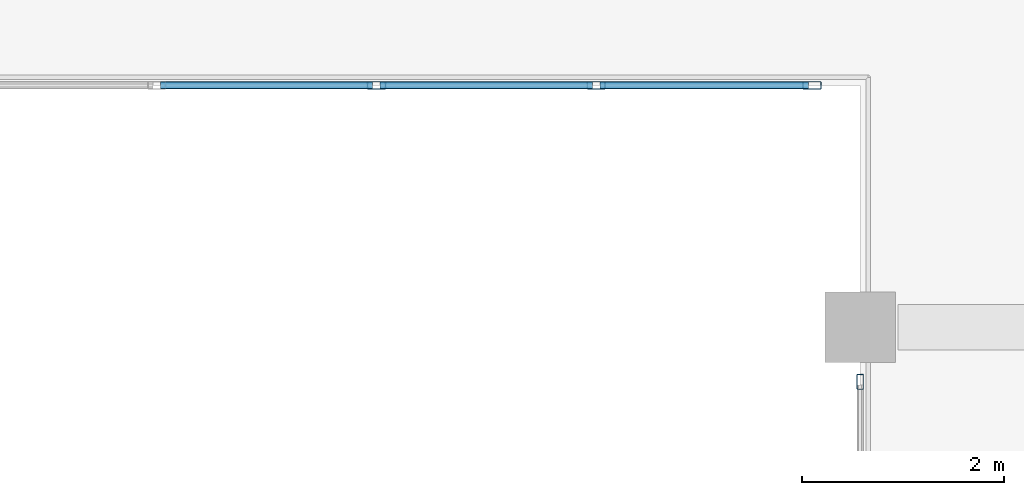
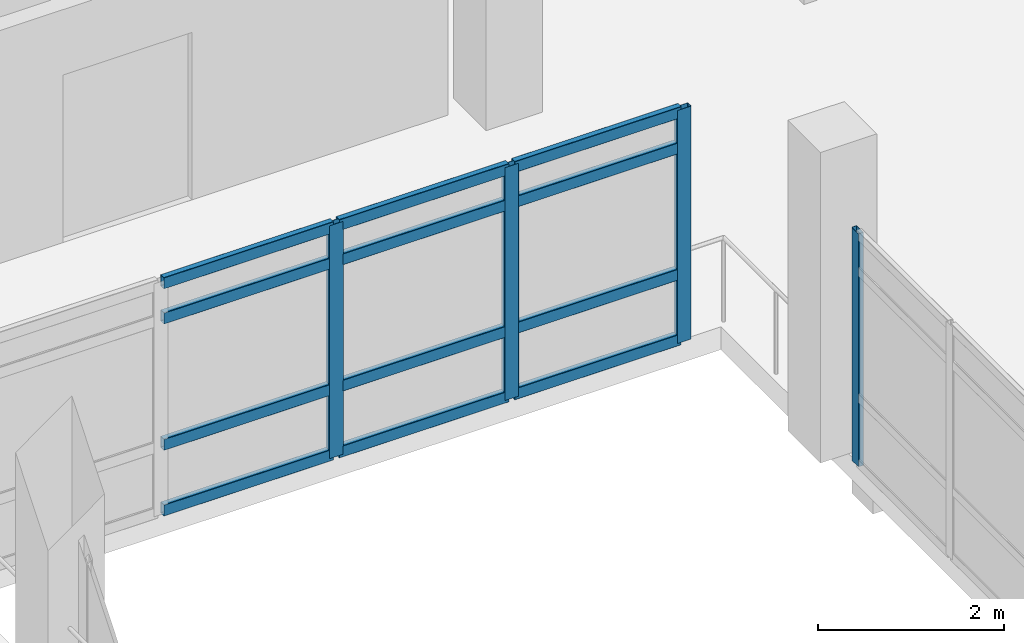
# One storey, part 118 of 180: 16 members, 2 elements without a shape of their own.
"""IFC4 building model written with IfcOpenShell, lengths in metres."""

from ifc_helpers import new_model, si_unit, direction, frame, origin, origin_2d, place, context, subcontext, project, spatial, hollow_rectangle, extrude, material, layer, layer_set, material_profile, profile_set, type_object, element, aggregate, save


model = new_model("IFC4")

# Units and contexts
model_context = context("Model", 3, precision=1e-05, world=origin(), true_north=direction((0.0, 1.0)))
body_context = subcontext(model_context, "Body", "Model", "MODEL_VIEW")
ifc_project = project(units=[si_unit("LENGTHUNIT", "METRE"), si_unit("AREAUNIT", "SQUARE_METRE"), si_unit("VOLUMEUNIT", "CUBIC_METRE"), si_unit("PLANEANGLEUNIT", "RADIAN"), si_unit("MASSUNIT", "GRAM", prefix="KILO")], contexts=[model_context])

# Site, building, storey
site_placement = place(None, origin())
site = spatial("IfcSite", under=ifc_project, at=site_placement, CompositionType="ELEMENT")
building_placement = place(site_placement, origin())
building = spatial("IfcBuilding", under=site, at=building_placement, Name="Asteropetra Specialist Clinic", CompositionType="ELEMENT")
storey_placement = place(building_placement, frame((0.0, 0.0, 4.419921875)))
storey = spatial("IfcBuildingStorey", under=building, at=storey_placement, Name="L01", CompositionType="ELEMENT", Elevation=4.419921875)

# Curtain wall, member
ifc_material_1 = material(Name="Aluminium and low-E glass", Category="aluminium")
ifc_layer_1 = layer(ifc_material_1, 0.135009765625)
ifc_layer_set_1 = layer_set([ifc_layer_1], Name="Aluminium and low-E glass")
curtain_wall_type_1 = type_object("IfcCurtainWallType", Name="CW-SYS-12", PredefinedType="USERDEFINED", material=ifc_layer_set_1)
curtain_wall_1_placement = place(storey_placement, origin())
curtain_wall_1 = element("IfcCurtainWall", 1, at=curtain_wall_1_placement, inside=storey, type_object=curtain_wall_type_1, Name="Curtain Wall CW-076", ObjectType="STICK GLAZED COLONNADE", PredefinedType="USERDEFINED")
ifc_material_2 = material(Name="Aluminium 6063-T6", Category="aluminium")
ifc_material_profile_1 = material_profile(ifc_material_2, hollow_rectangle(XDim=0.06494140625, YDim=0.14990234375, WallThickness=0.00390625, InnerFilletRadius=0.00390625, OuterFilletRadius=0.008056640625, at=origin_2d()), Name="MUL 150x65x4.0")
ifc_profile_set_1 = profile_set([ifc_material_profile_1], Name="Aluminium 6063-T6")
member_type_1 = type_object("IfcMemberType", Name="CWM-150x65", PredefinedType="MULLION", material=ifc_profile_set_1)
member_1_placement = place(storey_placement, frame((134.39990234375, 33.0576171875, 0.0), z_axis=(0.0, 0.0, 1.0), x_axis=(-1.0, 0.0, 0.0)))
member_1 = element("IfcMember", 2, at=member_1_placement, type_object=member_type_1, Name="CW-076 mullion 4", PredefinedType="MULLION", context=body_context, shape_type="SweptSolid", body=[
    extrude(hollow_rectangle(XDim=0.06494140625, YDim=0.14990234375, WallThickness=0.00390625, InnerFilletRadius=0.00390625, OuterFilletRadius=0.008056640625, at=origin_2d()), origin(), (0.0, 0.0, 1.0), 3.06005859375),
])
aggregate(curtain_wall_1, [member_1])

# Curtain wall, members
ifc_material_3 = material(Name="Aluminium and low-E glass", Category="aluminium")
ifc_layer_2 = layer(ifc_material_3, 0.135009765625)
ifc_layer_set_2 = layer_set([ifc_layer_2], Name="Aluminium and low-E glass")
curtain_wall_type_2 = type_object("IfcCurtainWallType", Name="CW-SYS-09", PredefinedType="USERDEFINED", material=ifc_layer_set_2)
curtain_wall_2_placement = place(storey_placement, origin())
curtain_wall_2 = element("IfcCurtainWall", 3, at=curtain_wall_2_placement, inside=storey, type_object=curtain_wall_type_2, Name="Curtain Wall CW-072", ObjectType="STICK GLAZED COLONNADE", PredefinedType="USERDEFINED")
ifc_material_4 = material(Name="Aluminium 6063-T6", Category="aluminium")
ifc_material_profile_2 = material_profile(ifc_material_4, hollow_rectangle(XDim=0.074951171875, YDim=0.179931640625, WallThickness=0.00390625, InnerFilletRadius=0.00390625, OuterFilletRadius=0.008056640625, at=origin_2d()), Name="MUL 180x75x4.0")
ifc_profile_set_2 = profile_set([ifc_material_profile_2], Name="Aluminium 6063-T6")
member_type_2 = type_object("IfcMemberType", Name="CWM-180x75", PredefinedType="MULLION", material=ifc_profile_set_2)
member_2_placement = place(storey_placement, frame((133.922607421875, 36.0, 0.0), z_axis=(0.0, 0.0, 1.0), x_axis=(0.0, -1.0, 0.0)))
member_2 = element("IfcMember", 4, at=member_2_placement, type_object=member_type_2, Name="CW-072 mullion 1", PredefinedType="MULLION", context=body_context, shape_type="SweptSolid", body=[
    extrude(hollow_rectangle(XDim=0.074951171875, YDim=0.179931640625, WallThickness=0.00390625, InnerFilletRadius=0.00390625, OuterFilletRadius=0.008056640625, at=origin_2d()), origin(), (0.0, 0.0, 1.0), 3.06005859375),
])
member_3_placement = place(storey_placement, frame((131.780029296875, 36.0, 0.0), z_axis=(0.0, 0.0, 1.0), x_axis=(0.0, -1.0, 0.0)))
member_3 = element("IfcMember", 5, at=member_3_placement, type_object=member_type_2, Name="CW-072 mullion 2", PredefinedType="MULLION", context=body_context, shape_type="SweptSolid", body=[
    extrude(hollow_rectangle(XDim=0.074951171875, YDim=0.179931640625, WallThickness=0.00390625, InnerFilletRadius=0.00390625, OuterFilletRadius=0.008056640625, at=origin_2d()), origin(), (0.0, 0.0, 1.0), 3.06005859375),
])
member_4_placement = place(storey_placement, frame((129.60009765625, 36.0, 0.0), z_axis=(0.0, 0.0, 1.0), x_axis=(0.0, -1.0, 0.0)))
member_4 = element("IfcMember", 6, at=member_4_placement, type_object=member_type_2, Name="CW-072 mullion 3", PredefinedType="MULLION", context=body_context, shape_type="SweptSolid", body=[
    extrude(hollow_rectangle(XDim=0.074951171875, YDim=0.179931640625, WallThickness=0.00390625, InnerFilletRadius=0.00390625, OuterFilletRadius=0.008056640625, at=origin_2d()), origin(), (0.0, 0.0, 1.0), 3.06005859375),
])
ifc_material_5 = material(Name="Aluminium 6063-T6", Category="aluminium")
ifc_material_profile_3 = material_profile(ifc_material_5, hollow_rectangle(XDim=0.074951171875, YDim=0.14990234375, WallThickness=0.00390625, InnerFilletRadius=0.00390625, OuterFilletRadius=0.008056640625, at=origin_2d()), Name="TRN 150x75x4.0")
ifc_profile_set_3 = profile_set([ifc_material_profile_3], Name="Aluminium 6063-T6")
member_type_3 = type_object("IfcMemberType", Name="CWT-150x75", PredefinedType="USERDEFINED", material=ifc_profile_set_3)
member_5_placement = place(storey_placement, frame((133.885009765625, 36.0, 0.03759765625), z_axis=(-1.0, 0.0, 0.0), x_axis=(0.0, -1.0, 0.0)))
member_5 = element("IfcMember", 7, at=member_5_placement, type_object=member_type_3, Name="CW-072 transom 1.1", ObjectType="TRANSOM", PredefinedType="USERDEFINED", context=body_context, shape_type="SweptSolid", body=[
    extrude(hollow_rectangle(XDim=0.074951171875, YDim=0.14990234375, WallThickness=0.00390625, InnerFilletRadius=0.00390625, OuterFilletRadius=0.008056640625, at=origin_2d()), origin(), (0.0, 0.0, 1.0), 2.067626953125),
])
member_6_placement = place(storey_placement, frame((133.885009765625, 36.0, 0.900146484375), z_axis=(-1.0, 0.0, 0.0), x_axis=(0.0, -1.0, 0.0)))
member_6 = element("IfcMember", 8, at=member_6_placement, type_object=member_type_3, Name="CW-072 transom 1.2", ObjectType="TRANSOM", PredefinedType="USERDEFINED", context=body_context, shape_type="SweptSolid", body=[
    extrude(hollow_rectangle(XDim=0.074951171875, YDim=0.14990234375, WallThickness=0.00390625, InnerFilletRadius=0.00390625, OuterFilletRadius=0.008056640625, at=origin_2d()), origin(), (0.0, 0.0, 1.0), 2.067626953125),
])
member_7_placement = place(storey_placement, frame((133.885009765625, 36.0, 2.56005859375), z_axis=(-1.0, 0.0, 0.0), x_axis=(0.0, -1.0, 0.0)))
member_7 = element("IfcMember", 9, at=member_7_placement, type_object=member_type_3, Name="CW-072 transom 1.3", ObjectType="TRANSOM", PredefinedType="USERDEFINED", context=body_context, shape_type="SweptSolid", body=[
    extrude(hollow_rectangle(XDim=0.074951171875, YDim=0.14990234375, WallThickness=0.00390625, InnerFilletRadius=0.00390625, OuterFilletRadius=0.008056640625, at=origin_2d()), origin(), (0.0, 0.0, 1.0), 2.067626953125),
])
member_8_placement = place(storey_placement, frame((133.885009765625, 36.0, 3.0224609375), z_axis=(-1.0, 0.0, 0.0), x_axis=(0.0, -1.0, 0.0)))
member_8 = element("IfcMember", 10, at=member_8_placement, type_object=member_type_3, Name="CW-072 transom 1.4", ObjectType="TRANSOM", PredefinedType="USERDEFINED", context=body_context, shape_type="SweptSolid", body=[
    extrude(hollow_rectangle(XDim=0.074951171875, YDim=0.14990234375, WallThickness=0.00390625, InnerFilletRadius=0.00390625, OuterFilletRadius=0.008056640625, at=origin_2d()), origin(), (0.0, 0.0, 1.0), 2.067626953125),
])
member_9_placement = place(storey_placement, frame((131.742431640625, 36.0, 0.03759765625), z_axis=(-1.0, 0.0, 0.0), x_axis=(0.0, -1.0, 0.0)))
member_9 = element("IfcMember", 11, at=member_9_placement, type_object=member_type_3, Name="CW-072 transom 2.1", ObjectType="TRANSOM", PredefinedType="USERDEFINED", context=body_context, shape_type="SweptSolid", body=[
    extrude(hollow_rectangle(XDim=0.074951171875, YDim=0.14990234375, WallThickness=0.00390625, InnerFilletRadius=0.00390625, OuterFilletRadius=0.008056640625, at=origin_2d()), origin(), (0.0, 0.0, 1.0), 2.10498046875),
])
member_10_placement = place(storey_placement, frame((131.742431640625, 36.0, 0.900146484375), z_axis=(-1.0, 0.0, 0.0), x_axis=(0.0, -1.0, 0.0)))
member_10 = element("IfcMember", 12, at=member_10_placement, type_object=member_type_3, Name="CW-072 transom 2.2", ObjectType="TRANSOM", PredefinedType="USERDEFINED", context=body_context, shape_type="SweptSolid", body=[
    extrude(hollow_rectangle(XDim=0.074951171875, YDim=0.14990234375, WallThickness=0.00390625, InnerFilletRadius=0.00390625, OuterFilletRadius=0.008056640625, at=origin_2d()), origin(), (0.0, 0.0, 1.0), 2.10498046875),
])
member_11_placement = place(storey_placement, frame((131.742431640625, 36.0, 2.56005859375), z_axis=(-1.0, 0.0, 0.0), x_axis=(0.0, -1.0, 0.0)))
member_11 = element("IfcMember", 13, at=member_11_placement, type_object=member_type_3, Name="CW-072 transom 2.3", ObjectType="TRANSOM", PredefinedType="USERDEFINED", context=body_context, shape_type="SweptSolid", body=[
    extrude(hollow_rectangle(XDim=0.074951171875, YDim=0.14990234375, WallThickness=0.00390625, InnerFilletRadius=0.00390625, OuterFilletRadius=0.008056640625, at=origin_2d()), origin(), (0.0, 0.0, 1.0), 2.10498046875),
])
member_12_placement = place(storey_placement, frame((131.742431640625, 36.0, 3.0224609375), z_axis=(-1.0, 0.0, 0.0), x_axis=(0.0, -1.0, 0.0)))
member_12 = element("IfcMember", 14, at=member_12_placement, type_object=member_type_3, Name="CW-072 transom 2.4", ObjectType="TRANSOM", PredefinedType="USERDEFINED", context=body_context, shape_type="SweptSolid", body=[
    extrude(hollow_rectangle(XDim=0.074951171875, YDim=0.14990234375, WallThickness=0.00390625, InnerFilletRadius=0.00390625, OuterFilletRadius=0.008056640625, at=origin_2d()), origin(), (0.0, 0.0, 1.0), 2.10498046875),
])
member_13_placement = place(storey_placement, frame((129.5625, 36.0, 0.03759765625), z_axis=(-1.0, 0.0, 0.0), x_axis=(0.0, -1.0, 0.0)))
member_13 = element("IfcMember", 15, at=member_13_placement, type_object=member_type_3, Name="CW-072 transom 3.1", ObjectType="TRANSOM", PredefinedType="USERDEFINED", context=body_context, shape_type="SweptSolid", body=[
    extrude(hollow_rectangle(XDim=0.074951171875, YDim=0.14990234375, WallThickness=0.00390625, InnerFilletRadius=0.00390625, OuterFilletRadius=0.008056640625, at=origin_2d()), origin(), (0.0, 0.0, 1.0), 2.10498046875),
])
member_14_placement = place(storey_placement, frame((129.5625, 36.0, 0.900146484375), z_axis=(-1.0, 0.0, 0.0), x_axis=(0.0, -1.0, 0.0)))
member_14 = element("IfcMember", 16, at=member_14_placement, type_object=member_type_3, Name="CW-072 transom 3.2", ObjectType="TRANSOM", PredefinedType="USERDEFINED", context=body_context, shape_type="SweptSolid", body=[
    extrude(hollow_rectangle(XDim=0.074951171875, YDim=0.14990234375, WallThickness=0.00390625, InnerFilletRadius=0.00390625, OuterFilletRadius=0.008056640625, at=origin_2d()), origin(), (0.0, 0.0, 1.0), 2.10498046875),
])
member_15_placement = place(storey_placement, frame((129.5625, 36.0, 2.56005859375), z_axis=(-1.0, 0.0, 0.0), x_axis=(0.0, -1.0, 0.0)))
member_15 = element("IfcMember", 17, at=member_15_placement, type_object=member_type_3, Name="CW-072 transom 3.3", ObjectType="TRANSOM", PredefinedType="USERDEFINED", context=body_context, shape_type="SweptSolid", body=[
    extrude(hollow_rectangle(XDim=0.074951171875, YDim=0.14990234375, WallThickness=0.00390625, InnerFilletRadius=0.00390625, OuterFilletRadius=0.008056640625, at=origin_2d()), origin(), (0.0, 0.0, 1.0), 2.10498046875),
])
member_16_placement = place(storey_placement, frame((129.5625, 36.0, 3.0224609375), z_axis=(-1.0, 0.0, 0.0), x_axis=(0.0, -1.0, 0.0)))
member_16 = element("IfcMember", 18, at=member_16_placement, type_object=member_type_3, Name="CW-072 transom 3.4", ObjectType="TRANSOM", PredefinedType="USERDEFINED", context=body_context, shape_type="SweptSolid", body=[
    extrude(hollow_rectangle(XDim=0.074951171875, YDim=0.14990234375, WallThickness=0.00390625, InnerFilletRadius=0.00390625, OuterFilletRadius=0.008056640625, at=origin_2d()), origin(), (0.0, 0.0, 1.0), 2.10498046875),
])
aggregate(curtain_wall_2, [member_2, member_3, member_4, member_5, member_6, member_7, member_8, member_9, member_10, member_11, member_12, member_13, member_14, member_15, member_16])

save(model, "model.ifc")
